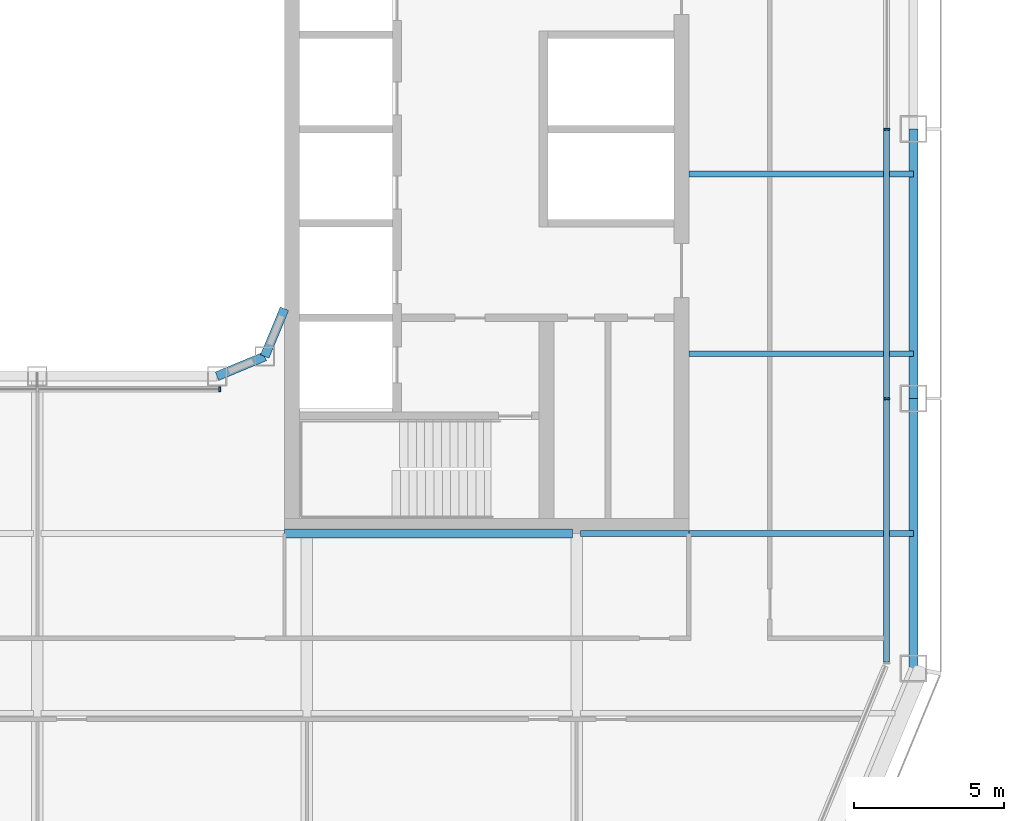
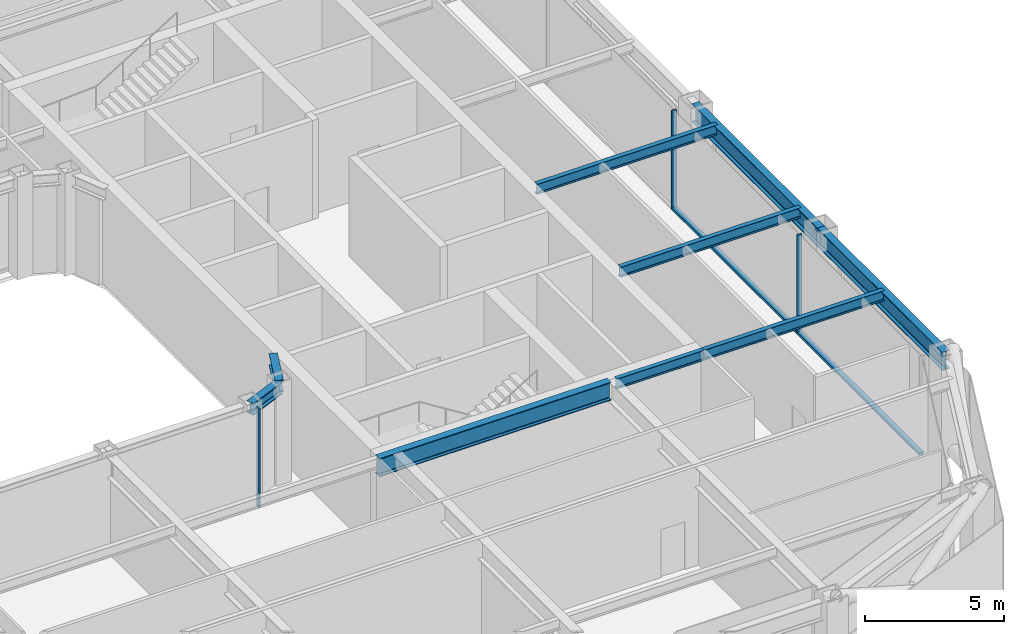
# One storey, part 5 of 24: 9 beams, 5 members, 2 elements without a shape of their own.
"""IFC4 building model written with IfcOpenShell, lengths in metres."""

from ifc_helpers import new_model, si_unit, direction, frame, origin, origin_2d, place, context, subcontext, project, spatial, rectangle, i_section, extrude, material, layer, layer_set, material_profile, profile_set, type_object, element, aggregate, save


model = new_model("IFC4")

# Units and contexts
model_context = context("Model", 3, precision=1e-05, world=origin(), true_north=direction((0.0, 1.0)))
body_context = subcontext(model_context, "Body", "Model", "MODEL_VIEW")
ifc_project = project(units=[si_unit("LENGTHUNIT", "METRE"), si_unit("AREAUNIT", "SQUARE_METRE"), si_unit("VOLUMEUNIT", "CUBIC_METRE"), si_unit("PLANEANGLEUNIT", "RADIAN"), si_unit("MASSUNIT", "GRAM", prefix="KILO")], contexts=[model_context])

# Site, building, storey
site_placement = place(None, origin())
site = spatial("IfcSite", under=ifc_project, at=site_placement, CompositionType="ELEMENT")
building_placement = place(site_placement, origin())
building = spatial("IfcBuilding", under=site, at=building_placement, Name="Siwar Civic Tower", CompositionType="ELEMENT")
storey_placement = place(building_placement, frame((0.0, 0.0, 149.699951171875)))
storey = spatial("IfcBuildingStorey", under=building, at=storey_placement, Name="L32", CompositionType="ELEMENT", Elevation=149.699951171875)

# Curtain wall, members
ifc_material_1 = material(Name="Aluminium and glass", Category="aluminium")
ifc_layer_1 = layer(ifc_material_1, 0.199951171875)
ifc_layer_set_1 = layer_set([ifc_layer_1], Name="Aluminium and glass")
curtain_wall_type_1 = type_object("IfcCurtainWallType", Name="ENV-CW-B", PredefinedType="NOTDEFINED", material=ifc_layer_set_1)
curtain_wall_1_placement = place(storey_placement, origin())
curtain_wall_1 = element("IfcCurtainWall", 1, at=curtain_wall_1_placement, inside=storey, type_object=curtain_wall_type_1, Name="Curtain wall B E", PredefinedType="NOTDEFINED")
ifc_material_2 = material(Name="Aluminium 6063-T6", Category="aluminium")
ifc_material_profile_1 = material_profile(ifc_material_2, rectangle(XDim=0.199951171875, YDim=0.06494140625, at=origin_2d()), Name="AL 200x65")
ifc_profile_set_1 = profile_set([ifc_material_profile_1], Name="Aluminium 6063-T6")
member_type_1 = type_object("IfcMemberType", Name="ENV-MULLION-B", PredefinedType="MULLION", material=ifc_profile_set_1)
member_1_placement = place(storey_placement, frame((28.35009765625, -9.0, 0.0), z_axis=(0.0, 0.0, 1.0), x_axis=(-1.0, 0.0, 0.0)))
member_1 = element("IfcMember", 2, at=member_1_placement, type_object=member_type_1, Name="Mullion B E 2", PredefinedType="MULLION", context=body_context, shape_type="SweptSolid", body=[
    extrude(rectangle(XDim=0.199951171875, YDim=0.06494140625, at=origin_2d()), origin(), (0.0, 0.0, 1.0), 4.35009765625),
])
member_2_placement = place(storey_placement, frame((28.35009765625, 0.0, 0.0), z_axis=(0.0, 0.0, 1.0), x_axis=(-1.0, 0.0, 0.0)))
member_2 = element("IfcMember", 3, at=member_2_placement, type_object=member_type_1, Name="Mullion B E 3", PredefinedType="MULLION", context=body_context, shape_type="SweptSolid", body=[
    extrude(rectangle(XDim=0.199951171875, YDim=0.06494140625, at=origin_2d()), origin(), (0.0, 0.0, 1.0), 4.35009765625),
])

# Curtain wall, member
ifc_material_3 = material(Name="Aluminium and glass", Category="aluminium")
ifc_layer_2 = layer(ifc_material_3, 0.179931640625)
ifc_layer_set_2 = layer_set([ifc_layer_2], Name="Aluminium and glass")
curtain_wall_type_2 = type_object("IfcCurtainWallType", Name="ENV-CW-W", PredefinedType="NOTDEFINED", material=ifc_layer_set_2)
curtain_wall_2_placement = place(storey_placement, origin())
curtain_wall_2 = element("IfcCurtainWall", 4, at=curtain_wall_2_placement, inside=storey, type_object=curtain_wall_type_2, Name="Curtain wall W WS", PredefinedType="NOTDEFINED")
ifc_material_4 = material(Name="Aluminium 6063-T6", Category="aluminium")
ifc_material_profile_2 = material_profile(ifc_material_4, rectangle(XDim=0.179931640625, YDim=0.06005859375, at=origin_2d()), Name="AL 180x60")
ifc_profile_set_2 = profile_set([ifc_material_profile_2], Name="Aluminium 6063-T6")
member_type_2 = type_object("IfcMemberType", Name="ENV-MULLION-W", PredefinedType="MULLION", material=ifc_profile_set_2)
member_3_placement = place(storey_placement, frame((6.08642578125, -8.68505859375, 0.0), z_axis=(0.0, 0.0, 1.0), x_axis=(0.0, 1.0, 0.0)))
member_3 = element("IfcMember", 5, at=member_3_placement, type_object=member_type_2, Name="Mullion W WS 3", PredefinedType="MULLION", context=body_context, shape_type="SweptSolid", body=[
    extrude(rectangle(XDim=0.179931640625, YDim=0.06005859375, at=origin_2d()), origin(), (0.0, 0.0, 1.0), 4.35009765625),
])
aggregate(curtain_wall_2, [member_3])

# Member
ifc_material_5 = material(Name="Aluminium 6063-T6", Category="aluminium")
ifc_material_profile_3 = material_profile(ifc_material_5, rectangle(XDim=0.199951171875, YDim=0.110107421875, at=origin_2d()), Name="AL 200x110")
ifc_profile_set_3 = profile_set([ifc_material_profile_3], Name="Aluminium 6063-T6")
member_type_3 = type_object("IfcMemberType", Name="ENV-TRANSOM-B", PredefinedType="USERDEFINED", material=ifc_profile_set_3)
member_4_placement = place(storey_placement, frame((28.35009765625, -17.78857421875, 0.054931640625), z_axis=(0.0, 1.0, 0.0), x_axis=(-1.0, 0.0, 0.0)))
member_4 = element("IfcMember", 6, at=member_4_placement, type_object=member_type_3, Name="Transom B E 1", ObjectType="TRANSOM", PredefinedType="USERDEFINED", context=body_context, shape_type="SweptSolid", body=[
    extrude(rectangle(XDim=0.199951171875, YDim=0.110107421875, at=origin_2d()), origin(), (0.0, 0.0, 1.0), 8.756103515625),
])

member_5_placement = place(storey_placement, frame((28.35009765625, -8.967529296875, 0.054931640625), z_axis=(0.0, 1.0, 0.0), x_axis=(-1.0, 0.0, 0.0)))
member_5 = element("IfcMember", 7, at=member_5_placement, type_object=member_type_3, Name="Transom B E 2", ObjectType="TRANSOM", PredefinedType="USERDEFINED", context=body_context, shape_type="SweptSolid", body=[
    extrude(rectangle(XDim=0.199951171875, YDim=0.110107421875, at=origin_2d()), origin(), (0.0, 0.0, 1.0), 8.93505859375),
])

aggregate(curtain_wall_1, [member_1, member_2, member_4, member_5])

# Beams
ifc_material_6 = material(Name="Steel S355", Category="steel")
ifc_material_profile_4 = material_profile(ifc_material_6, i_section(OverallWidth=0.18994140625, OverallDepth=0.449951171875, WebThickness=0.009521484375, FlangeThickness=0.0146484375, FilletRadius=0.02099609375, at=origin_2d()), Name="IPE450")
ifc_profile_set_4 = profile_set([ifc_material_profile_4], Name="Steel S355")
beam_type_1 = type_object("IfcBeamType", Name="STR-FB-IPE450", PredefinedType="JOIST", material=ifc_profile_set_4)
beam_1_placement = place(storey_placement, frame((18.1298828125, -13.5, 4.125), z_axis=(1.0, 0.0, 0.0), x_axis=(0.0, 1.0, 0.0)))
element("IfcBeam", 8, at=beam_1_placement, inside=storey, type_object=beam_type_1, Name="L32/bm/F019", PredefinedType="JOIST", context=body_context, shape_type="SweptSolid", body=[
    extrude(i_section(OverallWidth=0.18994140625, OverallDepth=0.449951171875, WebThickness=0.009521484375, FlangeThickness=0.0146484375, FilletRadius=0.02099609375, at=origin_2d()), origin(), (0.0, 0.0, 1.0), 3.6201171875),
])
for number, where, z_axis, x_axis, name in (
    (9, (21.75, -13.5, 4.125), (1.0, 0.0, 0.0), (0.0, 1.0, 0.0), "L32/bm/F020"),
    (10, (21.75, -7.5, 4.125), (1.0, 0.0, 0.0), (0.0, 1.0, 0.0), "L32/bm/F022"),
    (11, (21.75, -1.5, 4.125), (1.0, 0.0, 0.0), (0.0, 1.0, 0.0), "L32/bm/F024"),
):
    element("IfcBeam", number, at=place(storey_placement, frame(where, z_axis=z_axis, x_axis=x_axis)), inside=storey, type_object=beam_type_1, Name=name, PredefinedType="JOIST", context=body_context, shape_type="SweptSolid", body=[
        extrude(i_section(OverallWidth=0.18994140625, OverallDepth=0.449951171875, WebThickness=0.009521484375, FlangeThickness=0.0146484375, FilletRadius=0.02099609375, at=origin_2d()), origin(), (0.0, 0.0, 1.0), 7.5),
    ])
ifc_material_7 = material(Name="Steel S355", Category="steel")
ifc_material_profile_5 = material_profile(ifc_material_7, i_section(OverallWidth=0.300048828125, OverallDepth=0.800048828125, WebThickness=0.017578125, FlangeThickness=0.032958984375, FilletRadius=0.030029296875, at=origin_2d()), Name="HEB800")
ifc_profile_set_5 = profile_set([ifc_material_profile_5], Name="Steel S355")
beam_type_2 = type_object("IfcBeamType", Name="STR-PG-HEB800", PredefinedType="BEAM", material=ifc_profile_set_5)
beam_2_placement = place(storey_placement, frame((8.25, -13.5, 3.949951171875), z_axis=(1.0, 0.0, 0.0), x_axis=(0.0, 1.0, 0.0)))
element("IfcBeam", 12, at=beam_2_placement, inside=storey, type_object=beam_type_2, Name="L32/bm/F018", PredefinedType="BEAM", context=body_context, shape_type="SweptSolid", body=[
    extrude(i_section(OverallWidth=0.300048828125, OverallDepth=0.800048828125, WebThickness=0.017578125, FlangeThickness=0.032958984375, FilletRadius=0.030029296875, at=origin_2d()), origin(), (0.0, 0.0, 1.0), 9.6201171875),
])
ifc_material_8 = material(Name="Steel S355", Category="steel")
ifc_material_profile_6 = material_profile(ifc_material_8, i_section(OverallWidth=0.305908203125, OverallDepth=0.52392578125, WebThickness=0.02099609375, FlangeThickness=0.0400390625, FilletRadius=0.027099609375, at=origin_2d()), Name="HEM500")
ifc_profile_set_6 = profile_set([ifc_material_profile_6], Name="Steel S355")
beam_type_3 = type_object("IfcBeamType", Name="STR-RB-HEM500", PredefinedType="BEAM", material=ifc_profile_set_6)
for number, where, z_axis, x_axis, name in (
    (13, (6.0, -8.25, 4.088134765625), (0.923901072997, 0.382631424892, 0.0), (-0.382631424892, 0.923901072997, 0.0), "L32/bm/RS3"),
    (14, (7.591064453125, -7.591064453125, 4.088134765625), (0.382631424892, 0.923901072997, 0.0), (-0.923901072997, 0.382631424892, 0.0), "L32/bm/RSEE"),
):
    element("IfcBeam", number, at=place(storey_placement, frame(where, z_axis=z_axis, x_axis=x_axis)), inside=storey, type_object=beam_type_3, Name=name, PredefinedType="BEAM", context=body_context, shape_type="SweptSolid", body=[
        extrude(i_section(OverallWidth=0.305908203125, OverallDepth=0.52392578125, WebThickness=0.02099609375, FlangeThickness=0.0400390625, FilletRadius=0.027099609375, at=origin_2d()), origin(), (0.0, 0.0, 1.0), 1.72216796875),
    ])
ifc_material_9 = material(Name="Steel S355", Category="steel")
ifc_material_profile_7 = material_profile(ifc_material_9, i_section(OverallWidth=0.300048828125, OverallDepth=0.800048828125, WebThickness=0.017578125, FlangeThickness=0.032958984375, FilletRadius=0.030029296875, at=origin_2d()), Name="HEB800")
ifc_profile_set_7 = profile_set([ifc_material_profile_7], Name="Steel S355")
beam_type_4 = type_object("IfcBeamType", Name="STR-SB-HEB800", PredefinedType="BEAM", material=ifc_profile_set_7)
for number, where, z_axis, x_axis, name in (
    (15, (29.25, -18.0, 3.949951171875), (0.0, 1.0, 0.0), (-1.0, 0.0, 0.0), "L32/bm/SE-0"),
    (16, (29.25, -9.0, 3.949951171875), (0.0, 1.0, 0.0), (-1.0, 0.0, 0.0), "L32/bm/SE-1"),
):
    element("IfcBeam", number, at=place(storey_placement, frame(where, z_axis=z_axis, x_axis=x_axis)), inside=storey, type_object=beam_type_4, Name=name, PredefinedType="BEAM", context=body_context, shape_type="SweptSolid", body=[
        extrude(i_section(OverallWidth=0.300048828125, OverallDepth=0.800048828125, WebThickness=0.017578125, FlangeThickness=0.032958984375, FilletRadius=0.030029296875, at=origin_2d()), origin(), (0.0, 0.0, 1.0), 9.0),
    ])

save(model, "model.ifc")
